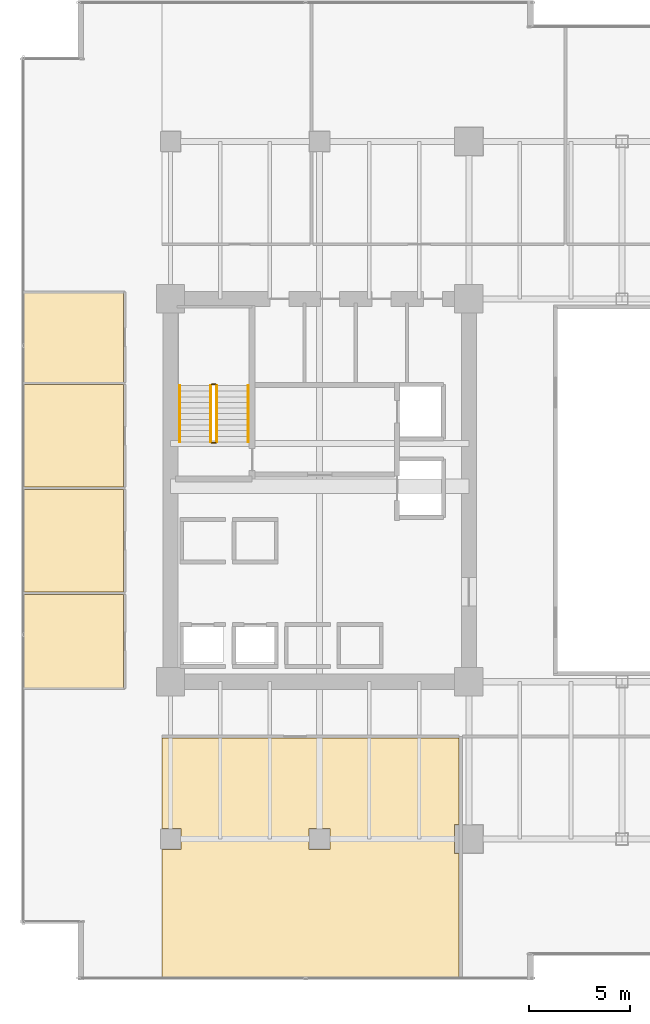
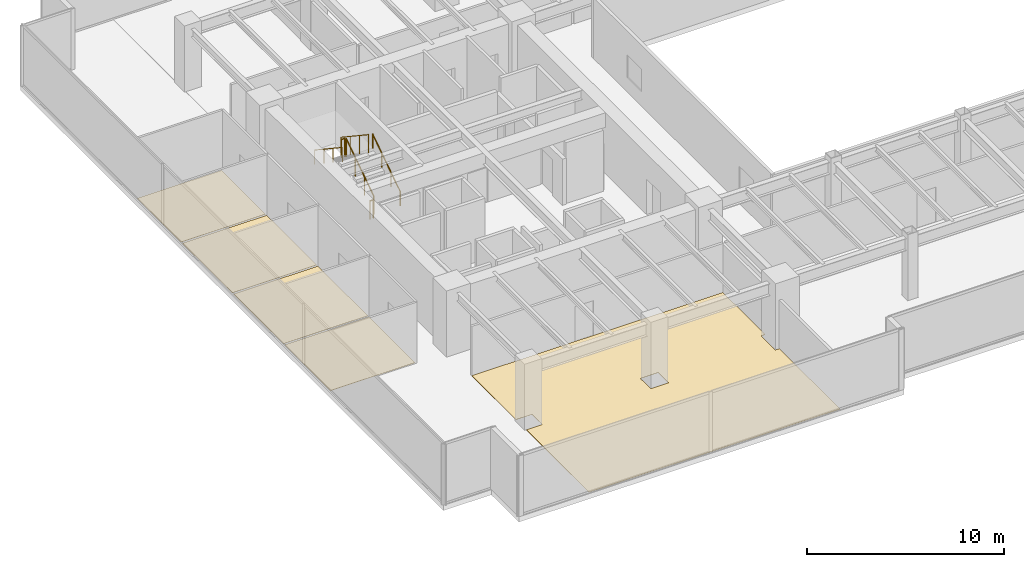
# One storey, part 34 of 36: 6 railings, 5 coverings.
"""IFC4 building model written with IfcOpenShell, lengths in metres."""

from ifc_helpers import new_model, si_unit, direction, frame, origin, origin_2d, place, context, subcontext, project, spatial, polyline, circle, outline, extrude, source, transform, mapped, material, layer, layer_set, type_object, type_shapes, element, save


model = new_model("IFC4")

# Units and contexts
model_context = context("Model", 3, precision=1e-05, world=origin(), true_north=direction((0.0, 1.0)))
body_context = subcontext(model_context, "Body", "Model", "MODEL_VIEW")
ifc_project = project(units=[si_unit("LENGTHUNIT", "METRE"), si_unit("AREAUNIT", "SQUARE_METRE"), si_unit("VOLUMEUNIT", "CUBIC_METRE"), si_unit("PLANEANGLEUNIT", "RADIAN"), si_unit("MASSUNIT", "GRAM", prefix="KILO")], contexts=[model_context])

# Site, building, storey
site_placement = place(None, origin())
site = spatial("IfcSite", under=ifc_project, at=site_placement, CompositionType="ELEMENT")
building_placement = place(site_placement, origin())
building = spatial("IfcBuilding", under=site, at=building_placement, Name="Haelvirn Gate Laboratories", CompositionType="ELEMENT")
storey_placement = place(building_placement, frame((0.0, 0.0, 49.800048828125)))
storey = spatial("IfcBuildingStorey", under=building, at=storey_placement, Name="L12", CompositionType="ELEMENT", Elevation=49.800048828125)

# Coverings
ifc_material_1 = material(Name="Seamless chemical-resistant epoxy laboratory flooring")
ifc_layer = layer(ifc_material_1, 0.01806640625, Name="COV-FLR-RESIN")
ifc_layer_set = layer_set([ifc_layer], Name="Seamless chemical-resistant epoxy laboratory flooring")
covering_type = type_object("IfcCoveringType", Name="COV-FLR-RESIN", PredefinedType="FLOORING", material=ifc_layer_set)
covering_1_placement = place(storey_placement, origin())
element("IfcCovering", 1, at=covering_1_placement, inside=storey, type_object=covering_type, Name="L12 Seamless Laboratory Flooring FLR-SP-L12-S-01", PredefinedType="FLOORING", context=body_context, shape_type="SweptSolid", body=[
    extrude(outline(polyline([(21.47998046875, 7.719970703125), (21.47998046875, 6.280029296875), (21.719970703125, 6.280029296875), (21.719970703125, 0.110107421875), (6.97998046875, 0.110107421875), (6.97998046875, 6.47998046875), (7.919921875, 6.47998046875), (7.919921875, 7.52001953125), (6.97998046875, 7.52001953125), (6.97998046875, 12.02001953125), (21.719970703125, 12.02001953125), (21.719970703125, 7.719970703125), (21.47998046875, 7.719970703125)]), holes=[polyline([(15.320068359375, 6.47998046875), (15.320068359375, 7.52001953125), (14.280029296875, 7.52001953125), (14.280029296875, 6.47998046875), (15.320068359375, 6.47998046875)])]), origin(), (0.0, 0.0, 1.0), 0.01806640625),
])
covering_2_placement = place(storey_placement, origin())
element("IfcCovering", 2, at=covering_2_placement, inside=storey, type_object=covering_type, Name="L12 Seamless Laboratory Flooring FLR-SP-L12-WCELL-01", PredefinedType="FLOORING", context=body_context, shape_type="SweptSolid", body=[
    extrude(outline(polyline([(0.110107421875, 19.139892578125), (5.06005859375, 19.139892578125), (5.06005859375, 14.465087890625), (0.110107421875, 14.465087890625), (0.110107421875, 19.139892578125)])), origin(), (0.0, 0.0, 1.0), 0.01806640625),
])
covering_3_placement = place(storey_placement, origin())
element("IfcCovering", 3, at=covering_3_placement, inside=storey, type_object=covering_type, Name="L12 Seamless Laboratory Flooring FLR-SP-L12-WCELL-02", PredefinedType="FLOORING", context=body_context, shape_type="SweptSolid", body=[
    extrude(outline(polyline([(0.110107421875, 24.340087890625), (5.06005859375, 24.340087890625), (5.06005859375, 19.260009765625), (0.110107421875, 19.260009765625), (0.110107421875, 24.340087890625)])), origin(), (0.0, 0.0, 1.0), 0.01806640625),
])
covering_4_placement = place(storey_placement, origin())
element("IfcCovering", 4, at=covering_4_placement, inside=storey, type_object=covering_type, Name="L12 Seamless Laboratory Flooring FLR-SP-L12-WCELL-03", PredefinedType="FLOORING", context=body_context, shape_type="SweptSolid", body=[
    extrude(outline(polyline([(0.110107421875, 29.5400390625), (5.06005859375, 29.5400390625), (5.06005859375, 24.4599609375), (0.110107421875, 24.4599609375), (0.110107421875, 29.5400390625)])), origin(), (0.0, 0.0, 1.0), 0.01806640625),
])
covering_5_placement = place(storey_placement, origin())
element("IfcCovering", 5, at=covering_5_placement, inside=storey, type_object=covering_type, Name="L12 Seamless Laboratory Flooring FLR-SP-L12-WCELL-04", PredefinedType="FLOORING", context=body_context, shape_type="SweptSolid", body=[
    extrude(outline(polyline([(0.110107421875, 34.135009765625), (5.06005859375, 34.135009765625), (5.06005859375, 29.659912109375), (0.110107421875, 29.659912109375), (0.110107421875, 34.135009765625)])), origin(), (0.0, 0.0, 1.0), 0.01806640625),
])

# Railings
ifc_material_2 = material(Name="Galvanised steel SM355 & stainless top rail", Category="steel")
railing_type_1 = type_object("IfcRailingType", Name="RL-GUARD-1150", PredefinedType="GUARDRAIL", material=ifc_material_2)
shared_shape_1 = source(origin(), body_context, "Body", "SweptSolid", [
    extrude(circle(Radius=0.02392578125, at=origin_2d()), frame((0.0, 0.0, 1.1259765625), z_axis=(-1.0, 0.0, 0.0), x_axis=(0.0, -1.0, 0.0)), (0.0, 0.0, 1.0), 0.199951171875),
    extrude(circle(Radius=0.02099609375, at=origin_2d()), origin(), (0.0, 0.0, 1.0), 1.101806640625),
    extrude(circle(Radius=0.02099609375, at=origin_2d()), frame((-0.199951171875, 0.0, 0.0)), (0.0, 0.0, 1.0), 1.101806640625),
])
for number, where, name in (
    (6, (9.64990234375, 29.550048828125, 2.050048828125), "L12 ST1 stair guard 2"),
    (7, (9.64990234375, 26.64990234375, 0.0), "L12 ST1 stair guard 4"),
):
    element("IfcRailing", number, at=place(storey_placement, frame(where)), inside=storey, type_object=railing_type_1, Name=name, PredefinedType="GUARDRAIL", context=body_context, shape_type="MappedRepresentation", body=[
        mapped(shared_shape_1, transform((0.0, 0.0, 0.0), scale=1.0)),
    ])
shared_shape_2 = source(origin(), body_context, "Body", "SweptSolid", [
    extrude(circle(Radius=0.02392578125, at=origin_2d()), frame((0.0, 0.0, 1.1259765625), z_axis=(0.0, 0.832452072856, 0.554097055034), x_axis=(-1.0, 0.0, 0.0)), (0.0, 0.0, 1.0), 3.363525390625),
    extrude(circle(Radius=0.02099609375, at=origin_2d()), origin(), (0.0, 0.0, 1.0), 1.101806640625),
    extrude(circle(Radius=0.02099609375, at=origin_2d()), frame((0.0, 0.933349609375, 0.621337890625)), (0.0, 0.0, 1.0), 1.101806640625),
    extrude(circle(Radius=0.02099609375, at=origin_2d()), frame((0.0, 1.86669921875, 1.242431640625)), (0.0, 0.0, 1.0), 1.101806640625),
    extrude(circle(Radius=0.02099609375, at=origin_2d()), frame((0.0, 2.800048828125, 1.86376953125)), (0.0, 0.0, 1.0), 1.101806640625),
])
railing_1_placement = place(storey_placement, frame((9.699951171875, 26.699951171875, 0.186279296875)))
element("IfcRailing", 8, at=railing_1_placement, inside=storey, type_object=railing_type_1, Name="L12 ST1 stair guard 1", PredefinedType="GUARDRAIL", context=body_context, shape_type="MappedRepresentation", body=[
    mapped(shared_shape_2, transform((0.0, 0.0, 0.0), scale=1.0)),
])
shared_shape_3 = source(origin(), body_context, "Body", "SweptSolid", [
    extrude(circle(Radius=0.02392578125, at=origin_2d()), frame((0.0, 0.0, 1.1259765625), z_axis=(0.0, -0.832485552168, 0.554046753832), x_axis=(1.0, 0.0, 0.0)), (0.0, 0.0, 1.0), 3.363525390625),
    extrude(circle(Radius=0.02099609375, at=origin_2d()), origin(), (0.0, 0.0, 1.0), 1.101806640625),
    extrude(circle(Radius=0.02099609375, at=origin_2d()), frame((0.0, -0.933349609375, 0.62109375)), (0.0, 0.0, 1.0), 1.101806640625),
    extrude(circle(Radius=0.02099609375, at=origin_2d()), frame((0.0, -1.86669921875, 1.242431640625)), (0.0, 0.0, 1.0), 1.101806640625),
    extrude(circle(Radius=0.02099609375, at=origin_2d()), frame((0.0, -2.800048828125, 1.863525390625)), (0.0, 0.0, 1.0), 1.101806640625),
])
type_shapes(railing_type_1, [shared_shape_1, shared_shape_2, shared_shape_3])
railing_2_placement = place(storey_placement, frame((9.39990234375, 29.5, 2.236328125)))
element("IfcRailing", 9, at=railing_2_placement, inside=storey, type_object=railing_type_1, Name="L12 ST1 stair guard 3", PredefinedType="GUARDRAIL", context=body_context, shape_type="MappedRepresentation", body=[
    mapped(shared_shape_3, transform((0.0, 0.0, 0.0), scale=1.0)),
])
ifc_material_3 = material(Name="Brushed stainless steel 316L", Category="steel")
railing_type_2 = type_object("IfcRailingType", Name="RL-HAND-920", PredefinedType="HANDRAIL", material=ifc_material_3)
shared_shape_4 = source(origin(), body_context, "Body", "SweptSolid", [
    extrude(circle(Radius=0.02392578125, at=origin_2d()), frame((0.0, 0.0, 0.8759765625), z_axis=(0.0, 0.832452072856, 0.554097055034), x_axis=(-1.0, 0.0, 0.0)), (0.0, 0.0, 1.0), 3.363525390625),
    extrude(circle(Radius=0.02099609375, at=origin_2d()), origin(), (0.0, 0.0, 1.0), 0.851806640625),
    extrude(circle(Radius=0.02099609375, at=origin_2d()), frame((0.0, 0.933349609375, 0.621337890625)), (0.0, 0.0, 1.0), 0.851806640625),
    extrude(circle(Radius=0.02099609375, at=origin_2d()), frame((0.0, 1.86669921875, 1.242431640625)), (0.0, 0.0, 1.0), 0.851806640625),
    extrude(circle(Radius=0.02099609375, at=origin_2d()), frame((0.0, 2.800048828125, 1.86376953125)), (0.0, 0.0, 1.0), 0.851806640625),
])
railing_3_placement = place(storey_placement, frame((11.25, 26.699951171875, 0.186279296875)))
element("IfcRailing", 10, at=railing_3_placement, inside=storey, type_object=railing_type_2, Name="L12 ST1 stair handrail 1", PredefinedType="HANDRAIL", context=body_context, shape_type="MappedRepresentation", body=[
    mapped(shared_shape_4, transform((0.0, 0.0, 0.0), scale=1.0)),
])
shared_shape_5 = source(origin(), body_context, "Body", "SweptSolid", [
    extrude(circle(Radius=0.02392578125, at=origin_2d()), frame((0.0, 0.0, 0.8759765625), z_axis=(0.0, -0.832485552168, 0.554046753832), x_axis=(1.0, 0.0, 0.0)), (0.0, 0.0, 1.0), 3.363525390625),
    extrude(circle(Radius=0.02099609375, at=origin_2d()), origin(), (0.0, 0.0, 1.0), 0.851806640625),
    extrude(circle(Radius=0.02099609375, at=origin_2d()), frame((0.0, -0.933349609375, 0.62109375)), (0.0, 0.0, 1.0), 0.851806640625),
    extrude(circle(Radius=0.02099609375, at=origin_2d()), frame((0.0, -1.86669921875, 1.242431640625)), (0.0, 0.0, 1.0), 0.851806640625),
    extrude(circle(Radius=0.02099609375, at=origin_2d()), frame((0.0, -2.800048828125, 1.863525390625)), (0.0, 0.0, 1.0), 0.851806640625),
])
type_shapes(railing_type_2, [shared_shape_4, shared_shape_5])
railing_4_placement = place(storey_placement, frame((7.85009765625, 29.5, 2.236328125)))
element("IfcRailing", 11, at=railing_4_placement, inside=storey, type_object=railing_type_2, Name="L12 ST1 stair handrail 2", PredefinedType="HANDRAIL", context=body_context, shape_type="MappedRepresentation", body=[
    mapped(shared_shape_5, transform((0.0, 0.0, 0.0), scale=1.0)),
])

save(model, "model.ifc")
